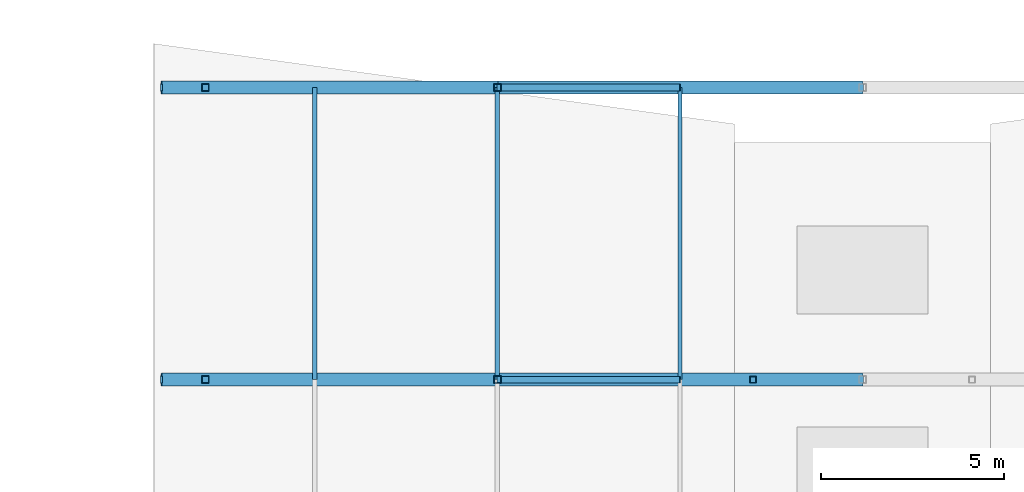
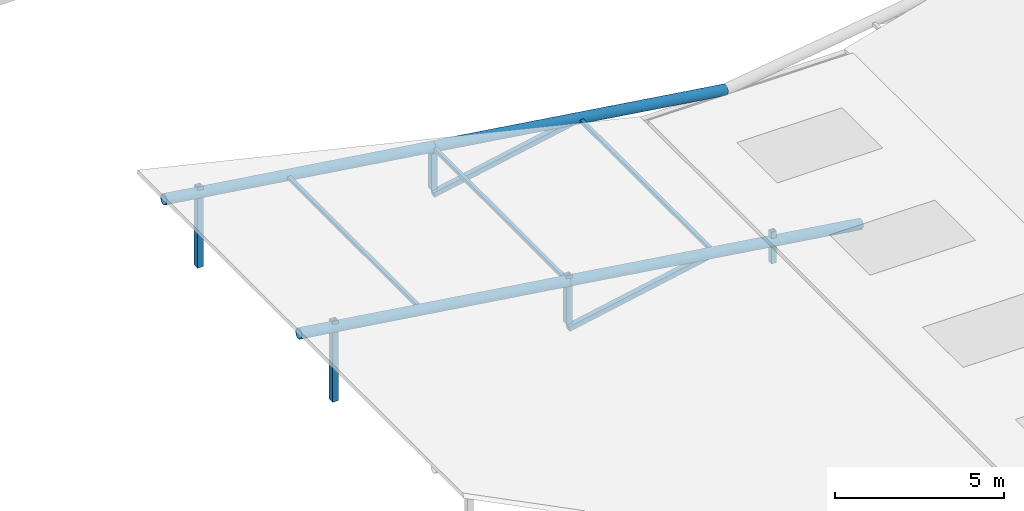
# One storey, part 20 of 84: 10 members, 4 beams.
"""IFC4 building model written with IfcOpenShell, lengths in metres."""

from ifc_helpers import new_model, si_unit, direction, frame, origin, origin_2d, place, context, subcontext, project, spatial, hollow_rectangle, hollow_circle, extrude, material, material_profile, profile_set, type_object, element, save


model = new_model("IFC4")

# Units and contexts
model_context = context("Model", 3, precision=1e-05, world=origin(), true_north=direction((0.0, 1.0)))
body_context = subcontext(model_context, "Body", "Model", "MODEL_VIEW")
ifc_project = project(units=[si_unit("LENGTHUNIT", "METRE"), si_unit("AREAUNIT", "SQUARE_METRE"), si_unit("VOLUMEUNIT", "CUBIC_METRE"), si_unit("PLANEANGLEUNIT", "RADIAN"), si_unit("MASSUNIT", "GRAM", prefix="KILO")], contexts=[model_context])

# Site, building, storey
site_placement = place(None, origin())
site = spatial("IfcSite", under=ifc_project, at=site_placement, CompositionType="ELEMENT")
building_placement = place(site_placement, origin())
building = spatial("IfcBuilding", under=site, at=building_placement, Name="Tenunan Teduh Sports Hall", CompositionType="ELEMENT")
storey_placement = place(building_placement, frame((0.0, 0.0, 10.800048828125)))
storey = spatial("IfcBuildingStorey", under=building, at=storey_placement, Name="L02", CompositionType="ELEMENT", Elevation=10.800048828125)

# Beams
ifc_material_1 = material(Name="Steel S355", Category="steel")
ifc_material_profile_1 = material_profile(ifc_material_1, hollow_circle(Radius=0.177734375, WallThickness=0.012451171875, at=origin_2d()), Name="CHS 355.6x12.5")
ifc_profile_set_1 = profile_set([ifc_material_profile_1], Name="Steel S355")
beam_type = type_object("IfcBeamType", Name="GSB-CHS356", PredefinedType="BEAM", material=ifc_profile_set_1)
beam_1_placement = place(storey_placement, frame((68.800048828125, 62.0, 2.719970703125), z_axis=(0.989928466814, 0.0, -0.14156846609), x_axis=(0.0, 1.0, 0.0)))
element("IfcBeam", 1, at=beam_1_placement, inside=storey, type_object=beam_type, Name="Gridshell Vault Arch BM-GR-04-L02-0509", PredefinedType="BEAM", context=body_context, shape_type="SweptSolid", body=[
    extrude(hollow_circle(Radius=0.177734375, WallThickness=0.012451171875, at=origin_2d()), origin(), (0.0, 0.0, 1.0), 9.29345703125),
])
beam_2_placement = place(storey_placement, frame((78.0, 62.0, 1.404296875), z_axis=(0.98972987631, 0.0, -0.142950242877), x_axis=(0.0, 1.0, 0.0)))
element("IfcBeam", 2, at=beam_2_placement, inside=storey, type_object=beam_type, Name="Gridshell Vault Arch BM-GR-04-L02-0510", PredefinedType="BEAM", context=body_context, shape_type="SweptSolid", body=[
    extrude(hollow_circle(Radius=0.177734375, WallThickness=0.012451171875, at=origin_2d()), origin(), (0.0, 0.0, 1.0), 10.103759765625),
])
beam_3_placement = place(storey_placement, frame((68.800048828125, 70.0, 2.719970703125), z_axis=(0.989928466814, 0.0, -0.14156846609), x_axis=(0.0, 1.0, 0.0)))
element("IfcBeam", 3, at=beam_3_placement, inside=storey, type_object=beam_type, Name="Gridshell Vault Arch BM-GR-04-L02-0514", PredefinedType="BEAM", context=body_context, shape_type="SweptSolid", body=[
    extrude(hollow_circle(Radius=0.177734375, WallThickness=0.012451171875, at=origin_2d()), origin(), (0.0, 0.0, 1.0), 9.29345703125),
])
beam_4_placement = place(storey_placement, frame((78.0, 70.0, 1.404296875), z_axis=(0.98972987631, 0.0, -0.142950242877), x_axis=(0.0, 1.0, 0.0)))
element("IfcBeam", 4, at=beam_4_placement, inside=storey, type_object=beam_type, Name="Gridshell Vault Arch BM-GR-04-L02-0515", PredefinedType="BEAM", context=body_context, shape_type="SweptSolid", body=[
    extrude(hollow_circle(Radius=0.177734375, WallThickness=0.012451171875, at=origin_2d()), origin(), (0.0, 0.0, 1.0), 10.103759765625),
])

# Members
ifc_material_2 = material(Name="Steel S355", Category="steel")
ifc_material_profile_2 = material_profile(ifc_material_2, hollow_rectangle(XDim=0.1201171875, YDim=0.1201171875, WallThickness=0.00634765625, at=origin_2d()), Name="SHS 120x120x6.3")
ifc_profile_set_2 = profile_set([ifc_material_profile_2], Name="Steel S355")
member_type_1 = type_object("IfcMemberType", Name="MEM-PR-SHS120", PredefinedType="PURLIN", material=ifc_profile_set_2)
for number, where, z_axis, x_axis, name in (
    (5, (73.0, 62.0, 2.126708984375), (0.0, 1.0, 0.0), (-1.0, 0.0, 0.0), "MEM-PR-02-L02-0909"),
    (6, (78.0, 62.0, 1.404296875), (0.0, 1.0, 0.0), (-1.0, 0.0, 0.0), "MEM-PR-02-L02-0913"),
    (7, (83.0, 62.0, 0.68212890625), (0.0, 1.0, 0.0), (-1.0, 0.0, 0.0), "MEM-PR-02-L02-0917"),
):
    element("IfcMember", number, at=place(storey_placement, frame(where, z_axis=z_axis, x_axis=x_axis)), inside=storey, type_object=member_type_1, Name=name, PredefinedType="PURLIN", context=body_context, shape_type="SweptSolid", body=[
        extrude(hollow_rectangle(XDim=0.1201171875, YDim=0.1201171875, WallThickness=0.00634765625, at=origin_2d()), origin(), (0.0, 0.0, 1.0), 8.0),
    ])
ifc_material_3 = material(Name="Steel S355", Category="steel")
ifc_material_profile_3 = material_profile(ifc_material_3, hollow_rectangle(XDim=0.179931640625, YDim=0.179931640625, WallThickness=0.010009765625, at=origin_2d()), Name="SHS 180x180x10.0")
ifc_profile_set_3 = profile_set([ifc_material_profile_3], Name="Steel S355")
member_type_2 = type_object("IfcMemberType", Name="MEM-ST-SHS180", PredefinedType="STRUT", material=ifc_profile_set_3)
member_1_placement = place(storey_placement, frame((85.0, 62.0, -0.360107421875), z_axis=(0.0, 0.0, 1.0), x_axis=(1.0, 0.0, 0.0)))
element("IfcMember", 8, at=member_1_placement, inside=storey, type_object=member_type_2, Name="MEM-VS-03-L02-0890", PredefinedType="STRUT", context=body_context, shape_type="SweptSolid", body=[
    extrude(hollow_rectangle(XDim=0.179931640625, YDim=0.179931640625, WallThickness=0.010009765625, at=origin_2d()), origin(), (0.0, 0.0, 1.0), 1.14013671875),
])
for number, where, z_axis, x_axis, name in (
    (9, (78.0, 62.0, -0.300048828125), (0.981247525965, 0.0, 0.192751894383), (0.0, 1.0, 0.0), "MEM-VS-03-L02-0895"),
    (10, (78.0, 70.0, -0.300048828125), (0.981247525965, 0.0, 0.192751894383), (0.0, 1.0, 0.0), "MEM-VS-03-L02-0904"),
):
    element("IfcMember", number, at=place(storey_placement, frame(where, z_axis=z_axis, x_axis=x_axis)), inside=storey, type_object=member_type_2, Name=name, PredefinedType="STRUT", context=body_context, shape_type="SweptSolid", body=[
        extrude(hollow_rectangle(XDim=0.179931640625, YDim=0.179931640625, WallThickness=0.010009765625, at=origin_2d()), origin(), (0.0, 0.0, 1.0), 5.095458984375),
    ])
ifc_material_4 = material(Name="Steel S355", Category="steel")
ifc_material_profile_4 = material_profile(ifc_material_4, hollow_rectangle(XDim=0.199951171875, YDim=0.199951171875, WallThickness=0.010009765625, at=origin_2d()), Name="SHS 200x200x10.0")
ifc_profile_set_4 = profile_set([ifc_material_profile_4], Name="Steel S355")
member_type_3 = type_object("IfcMemberType", Name="MEM-ST-SHS200", PredefinedType="STRUT", material=ifc_profile_set_4)
member_2_placement = place(storey_placement, frame((70.0, 62.0, -0.10009765625), z_axis=(0.0, 0.0, 1.0), x_axis=(1.0, 0.0, 0.0)))
element("IfcMember", 11, at=member_2_placement, inside=storey, type_object=member_type_3, Name="MEM-VS-02-L02-0886", PredefinedType="STRUT", context=body_context, shape_type="SweptSolid", body=[
    extrude(hollow_rectangle(XDim=0.199951171875, YDim=0.199951171875, WallThickness=0.010009765625, at=origin_2d()), origin(), (0.0, 0.0, 1.0), 2.91015625),
])
member_3_placement = place(storey_placement, frame((78.0, 62.0, -0.10009765625), z_axis=(0.0, 0.0, 1.0), x_axis=(1.0, 0.0, 0.0)))
element("IfcMember", 12, at=member_3_placement, inside=storey, type_object=member_type_3, Name="MEM-VS-02-L02-0887", PredefinedType="STRUT", context=body_context, shape_type="SweptSolid", body=[
    extrude(hollow_rectangle(XDim=0.199951171875, YDim=0.199951171875, WallThickness=0.010009765625, at=origin_2d()), origin(), (0.0, 0.0, 1.0), 1.75439453125),
])
member_4_placement = place(storey_placement, frame((70.0, 70.0, -0.10009765625), z_axis=(0.0, 0.0, 1.0), x_axis=(1.0, 0.0, 0.0)))
element("IfcMember", 13, at=member_4_placement, inside=storey, type_object=member_type_3, Name="MEM-VS-02-L02-0897", PredefinedType="STRUT", context=body_context, shape_type="SweptSolid", body=[
    extrude(hollow_rectangle(XDim=0.199951171875, YDim=0.199951171875, WallThickness=0.010009765625, at=origin_2d()), origin(), (0.0, 0.0, 1.0), 2.91015625),
])
member_5_placement = place(storey_placement, frame((78.0, 70.0, -0.10009765625), z_axis=(0.0, 0.0, 1.0), x_axis=(1.0, 0.0, 0.0)))
element("IfcMember", 14, at=member_5_placement, inside=storey, type_object=member_type_3, Name="MEM-VS-02-L02-0898", PredefinedType="STRUT", context=body_context, shape_type="SweptSolid", body=[
    extrude(hollow_rectangle(XDim=0.199951171875, YDim=0.199951171875, WallThickness=0.010009765625, at=origin_2d()), origin(), (0.0, 0.0, 1.0), 1.32666015625),
])

save(model, "model.ifc")
